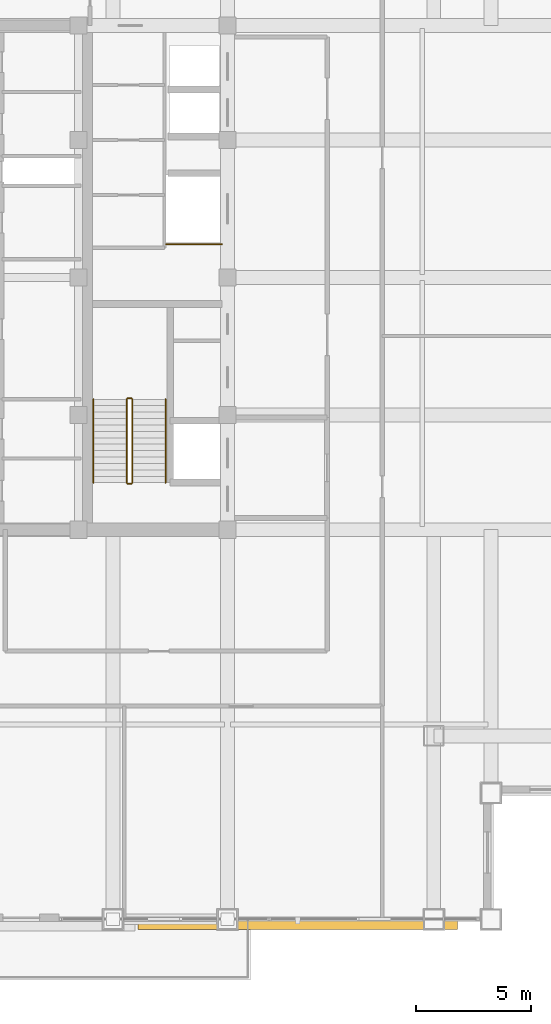
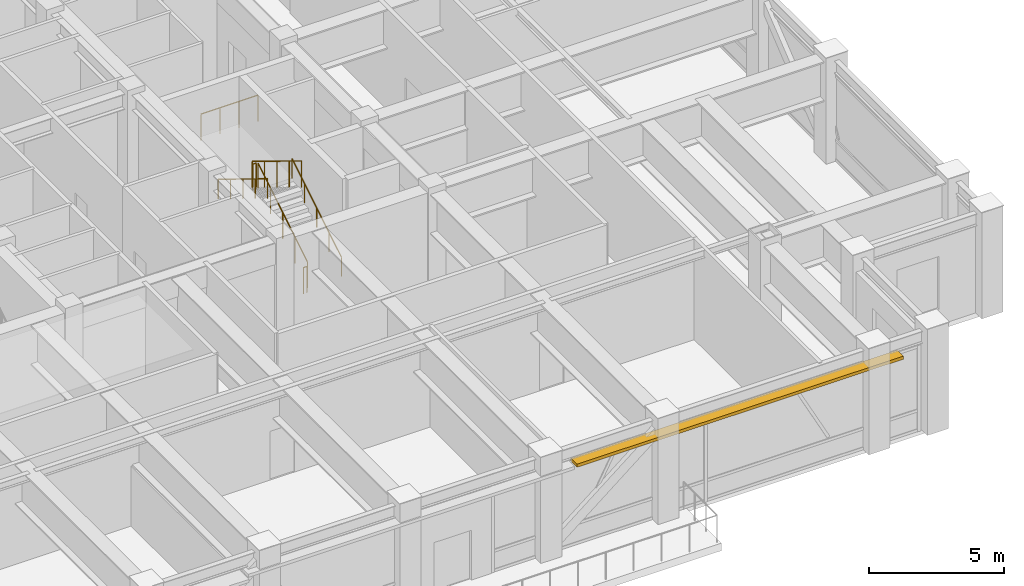
# One storey, part 29 of 31: 7 railings, 1 shading device.
"""IFC4 building model written with IfcOpenShell, lengths in metres."""

from ifc_helpers import new_model, si_unit, direction, frame, origin, origin_2d, place, context, subcontext, project, spatial, rectangle, circle, extrude, source, transform, mapped, material, layer, layer_set, type_object, element, save


model = new_model("IFC4")

# Units and contexts
model_context = context("Model", 3, precision=1e-05, world=origin(), true_north=direction((0.0, 1.0)))
body_context = subcontext(model_context, "Body", "Model", "MODEL_VIEW")
ifc_project = project(units=[si_unit("LENGTHUNIT", "METRE"), si_unit("AREAUNIT", "SQUARE_METRE"), si_unit("VOLUMEUNIT", "CUBIC_METRE"), si_unit("PLANEANGLEUNIT", "RADIAN"), si_unit("MASSUNIT", "GRAM", prefix="KILO")], contexts=[model_context])

# Site, building, storey
site_placement = place(None, origin())
site = spatial("IfcSite", under=ifc_project, at=site_placement, CompositionType="ELEMENT")
building_placement = place(site_placement, origin())
building = spatial("IfcBuilding", under=site, at=building_placement, Name="Khorayat Bourse Tower", CompositionType="ELEMENT")
storey_placement = place(building_placement, frame((0.0, 0.0, 321.5)))
storey = spatial("IfcBuildingStorey", under=building, at=storey_placement, Name="L76", CompositionType="ELEMENT", Elevation=321.5)

# Shading device
ifc_material_1 = material(Name="Precast concrete C45/55", Category="concrete")
ifc_layer = layer(ifc_material_1, 0.139892578125)
ifc_layer_set = layer_set([ifc_layer], Name="Precast concrete C45/55")
shading_device_type = type_object("IfcShadingDeviceType", Name="SHD-WAVE-TRAY-A", PredefinedType="USERDEFINED", material=ifc_layer_set)
shared_shape_1 = source(origin(), body_context, "Body", "SweptSolid", [
    extrude(rectangle(XDim=13.9267578125, YDim=0.456787109375, at=origin_2d()), origin(), (0.0, 0.0, 1.0), 0.139892578125),
])
shading_device_placement = place(storey_placement, frame((14.066650390625, -28.20849609375, 3.7900390625), z_axis=(0.0, 0.0, 1.0), x_axis=(1.0, 0.0, 0.0)))
element("IfcShadingDevice", 1, at=shading_device_placement, inside=storey, type_object=shading_device_type, Name="L76 Sinusoidal Wave Sunshade Tray S-3", ObjectType="SUNSHADE", PredefinedType="USERDEFINED", context=body_context, shape_type="MappedRepresentation", body=[
    mapped(shared_shape_1, transform((0.0, 0.0, 0.0), scale=1.0)),
])

# Railings
ifc_material_2 = material(Name="Powder-coated steel balustrade", Category="steel")
railing_type_1 = type_object("IfcRailingType", Name="RLG-GUARD-1200", PredefinedType="GUARDRAIL", material=ifc_material_2)
shared_shape_2 = source(origin(), body_context, "Body", "SweptSolid", [
    extrude(circle(Radius=0.02392578125, at=origin_2d()), frame((0.0, 0.0, 1.17578125), z_axis=(0.0, 0.852850264322, 0.5221555579), x_axis=(-1.0, 0.0, 0.0)), (0.0, 0.0, 1.0), 4.267822265625),
    extrude(circle(Radius=0.02099609375, at=origin_2d()), origin(), (0.0, 0.0, 1.0), 1.15185546875),
    extrude(circle(Radius=0.02099609375, at=origin_2d()), frame((0.0, 0.909912109375, 0.55712890625)), (0.0, 0.0, 1.0), 1.15185546875),
    extrude(circle(Radius=0.02099609375, at=origin_2d()), frame((0.0, 1.81982421875, 1.1142578125)), (0.0, 0.0, 1.0), 1.15185546875),
    extrude(circle(Radius=0.02099609375, at=origin_2d()), frame((0.0, 2.72998046875, 1.67138671875)), (0.0, 0.0, 1.0), 1.15185546875),
    extrude(circle(Radius=0.02099609375, at=origin_2d()), frame((0.0, 3.639892578125, 2.228515625)), (0.0, 0.0, 1.0), 1.15185546875),
])
railing_1_placement = place(storey_placement, frame((6.85009765625, -8.949951171875, 0.17138671875)))
element("IfcRailing", 2, at=railing_1_placement, inside=storey, type_object=railing_type_1, Name="L76 ST-3 stair guard 1", PredefinedType="GUARDRAIL", context=body_context, shape_type="MappedRepresentation", body=[
    mapped(shared_shape_2, transform((0.0, 0.0, 0.0), scale=1.0)),
])
shared_shape_3 = source(origin(), body_context, "Body", "SweptSolid", [
    extrude(circle(Radius=0.02392578125, at=origin_2d()), frame((0.0, 0.0, 1.17578125), z_axis=(-1.0, 0.0, 0.0), x_axis=(0.0, -1.0, 0.0)), (0.0, 0.0, 1.0), 0.150146484375),
    extrude(circle(Radius=0.02099609375, at=origin_2d()), origin(), (0.0, 0.0, 1.0), 1.15185546875),
    extrude(circle(Radius=0.02099609375, at=origin_2d()), frame((-0.150146484375, 0.0, 0.0)), (0.0, 0.0, 1.0), 1.15185546875),
])
for number, where, name in (
    (3, (6.800048828125, -5.260009765625, 2.39990234375), "L76 ST-3 stair guard 2"),
    (4, (6.800048828125, -9.0, 0.0), "L76 ST-3 stair guard 4"),
):
    element("IfcRailing", number, at=place(storey_placement, frame(where)), inside=storey, type_object=railing_type_1, Name=name, PredefinedType="GUARDRAIL", context=body_context, shape_type="MappedRepresentation", body=[
        mapped(shared_shape_3, transform((0.0, 0.0, 0.0), scale=1.0)),
    ])
shared_shape_4 = source(origin(), body_context, "Body", "SweptSolid", [
    extrude(circle(Radius=0.02392578125, at=origin_2d()), frame((0.0, 0.0, 1.17578125), z_axis=(0.0, -0.852850264322, 0.5221555579), x_axis=(1.0, 0.0, 0.0)), (0.0, 0.0, 1.0), 4.267822265625),
    extrude(circle(Radius=0.02099609375, at=origin_2d()), origin(), (0.0, 0.0, 1.0), 1.15185546875),
    extrude(circle(Radius=0.02099609375, at=origin_2d()), frame((0.0, -0.909912109375, 0.55712890625)), (0.0, 0.0, 1.0), 1.15185546875),
    extrude(circle(Radius=0.02099609375, at=origin_2d()), frame((0.0, -1.81982421875, 1.1142578125)), (0.0, 0.0, 1.0), 1.15185546875),
    extrude(circle(Radius=0.02099609375, at=origin_2d()), frame((0.0, -2.72998046875, 1.67138671875)), (0.0, 0.0, 1.0), 1.15185546875),
    extrude(circle(Radius=0.02099609375, at=origin_2d()), frame((0.0, -3.639892578125, 2.228515625)), (0.0, 0.0, 1.0), 1.15185546875),
])
railing_2_placement = place(storey_placement, frame((6.60009765625, -5.31005859375, 2.571533203125)))
element("IfcRailing", 5, at=railing_2_placement, inside=storey, type_object=railing_type_1, Name="L76 ST-3 stair guard 3", PredefinedType="GUARDRAIL", context=body_context, shape_type="MappedRepresentation", body=[
    mapped(shared_shape_4, transform((0.0, 0.0, 0.0), scale=1.0)),
])
ifc_material_3 = material(Name="Brushed bronze stainless-steel handrail", Category="steel")
railing_type_2 = type_object("IfcRailingType", Name="RLG-HAND-900", PredefinedType="HANDRAIL", material=ifc_material_3)
shared_shape_5 = source(origin(), body_context, "Body", "SweptSolid", [
    extrude(circle(Radius=0.02392578125, at=origin_2d()), frame((0.0, 0.0, 0.8759765625), z_axis=(0.0, 0.852850264322, 0.5221555579), x_axis=(-1.0, 0.0, 0.0)), (0.0, 0.0, 1.0), 4.267822265625),
    extrude(circle(Radius=0.02099609375, at=origin_2d()), origin(), (0.0, 0.0, 1.0), 0.851806640625),
    extrude(circle(Radius=0.02099609375, at=origin_2d()), frame((0.0, 0.909912109375, 0.55712890625)), (0.0, 0.0, 1.0), 0.851806640625),
    extrude(circle(Radius=0.02099609375, at=origin_2d()), frame((0.0, 1.81982421875, 1.1142578125)), (0.0, 0.0, 1.0), 0.851806640625),
    extrude(circle(Radius=0.02099609375, at=origin_2d()), frame((0.0, 2.72998046875, 1.67138671875)), (0.0, 0.0, 1.0), 0.851806640625),
    extrude(circle(Radius=0.02099609375, at=origin_2d()), frame((0.0, 3.639892578125, 2.228515625)), (0.0, 0.0, 1.0), 0.851806640625),
])
railing_3_placement = place(storey_placement, frame((8.300048828125, -8.949951171875, 0.17138671875)))
element("IfcRailing", 6, at=railing_3_placement, inside=storey, type_object=railing_type_2, Name="L76 ST-3 stair handrail 1", PredefinedType="HANDRAIL", context=body_context, shape_type="MappedRepresentation", body=[
    mapped(shared_shape_5, transform((0.0, 0.0, 0.0), scale=1.0)),
])
shared_shape_6 = source(origin(), body_context, "Body", "SweptSolid", [
    extrude(circle(Radius=0.02392578125, at=origin_2d()), frame((0.0, 0.0, 0.8759765625), z_axis=(0.0, -0.852850264322, 0.5221555579), x_axis=(1.0, 0.0, 0.0)), (0.0, 0.0, 1.0), 4.267822265625),
    extrude(circle(Radius=0.02099609375, at=origin_2d()), origin(), (0.0, 0.0, 1.0), 0.851806640625),
    extrude(circle(Radius=0.02099609375, at=origin_2d()), frame((0.0, -0.909912109375, 0.55712890625)), (0.0, 0.0, 1.0), 0.851806640625),
    extrude(circle(Radius=0.02099609375, at=origin_2d()), frame((0.0, -1.81982421875, 1.1142578125)), (0.0, 0.0, 1.0), 0.851806640625),
    extrude(circle(Radius=0.02099609375, at=origin_2d()), frame((0.0, -2.72998046875, 1.67138671875)), (0.0, 0.0, 1.0), 0.851806640625),
    extrude(circle(Radius=0.02099609375, at=origin_2d()), frame((0.0, -3.639892578125, 2.228515625)), (0.0, 0.0, 1.0), 0.851806640625),
])
railing_4_placement = place(storey_placement, frame((5.14990234375, -5.31005859375, 2.571533203125)))
element("IfcRailing", 7, at=railing_4_placement, inside=storey, type_object=railing_type_2, Name="L76 ST-3 stair handrail 2", PredefinedType="HANDRAIL", context=body_context, shape_type="MappedRepresentation", body=[
    mapped(shared_shape_6, transform((0.0, 0.0, 0.0), scale=1.0)),
])
shared_shape_7 = source(origin(), body_context, "Body", "SweptSolid", [
    extrude(circle(Radius=0.02392578125, at=origin_2d()), frame((0.0, 0.0, 1.17578125), z_axis=(1.0, 0.0, 0.0), x_axis=(0.0, 1.0, 0.0)), (0.0, 0.0, 1.0), 2.429931640625),
    extrude(circle(Radius=0.02099609375, at=origin_2d()), origin(), (0.0, 0.0, 1.0), 1.15185546875),
    extrude(circle(Radius=0.02099609375, at=origin_2d()), frame((0.81005859375, 0.0, 0.0)), (0.0, 0.0, 1.0), 1.15185546875),
    extrude(circle(Radius=0.02099609375, at=origin_2d()), frame((1.619873046875, 0.0, 0.0)), (0.0, 0.0, 1.0), 1.15185546875),
    extrude(circle(Radius=0.02099609375, at=origin_2d()), frame((2.429931640625, 0.0, 0.0)), (0.0, 0.0, 1.0), 1.15185546875),
])
railing_5_placement = place(storey_placement, frame((8.320068359375, 1.4599609375, 0.0)))
element("IfcRailing", 8, at=railing_5_placement, inside=storey, type_object=railing_type_1, Name="L76 Goods Shaft Opening Guardrail", PredefinedType="GUARDRAIL", context=body_context, shape_type="MappedRepresentation", body=[
    mapped(shared_shape_7, transform((0.0, 0.0, 0.0), scale=1.0)),
])

save(model, "model.ifc")
